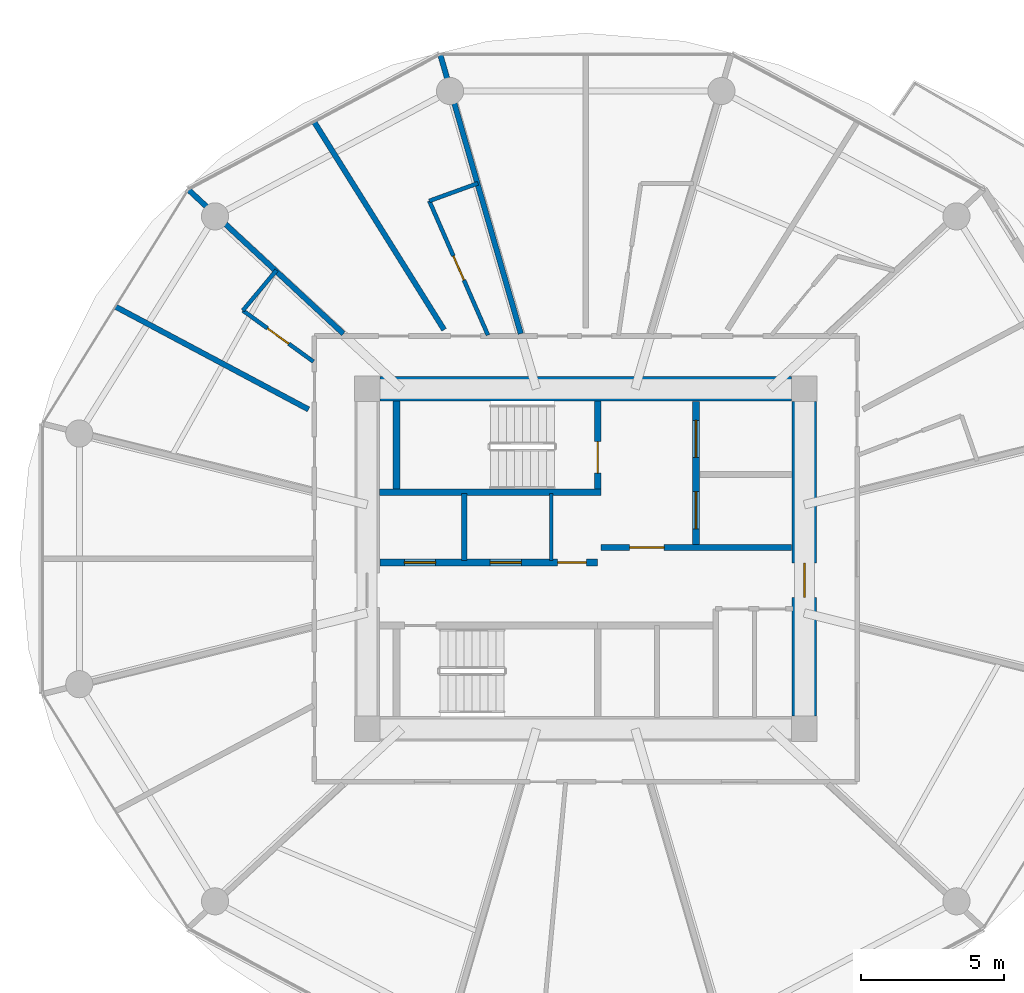
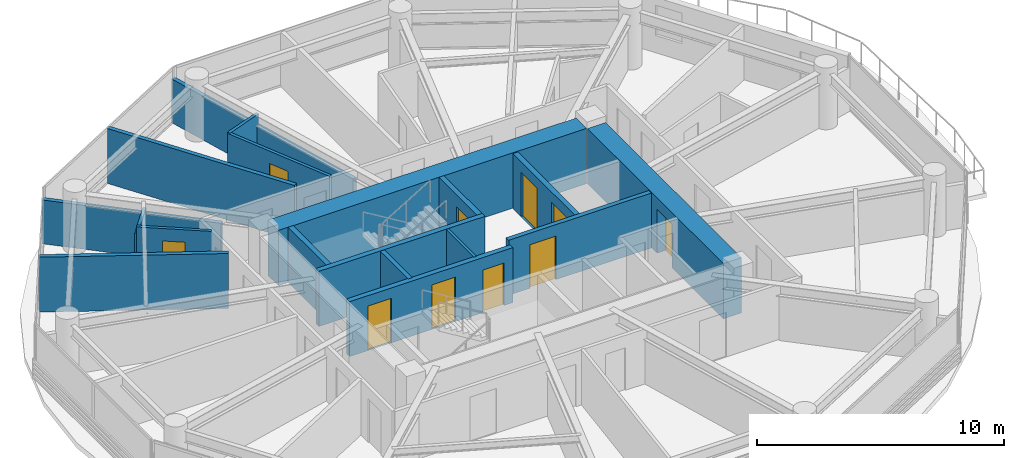
# One storey, part 16 of 26: 18 walls, 10 doors, 10 openings.
"""IFC4 building model written with IfcOpenShell, lengths in metres."""

from ifc_helpers import new_model, si_unit, direction, frame, frame_2d, origin, place, context, subcontext, project, spatial, rectangle, extrude, source, transform, mapped, material, layer, layer_set, type_object, type_shapes, element, fill, save


model = new_model("IFC4")

# Units and contexts
model_context = context("Model", 3, precision=1e-05, world=origin(), true_north=direction((0.0, 1.0)))
body_context = subcontext(model_context, "Body", "Model", "MODEL_VIEW")
ifc_project = project(units=[si_unit("LENGTHUNIT", "METRE"), si_unit("AREAUNIT", "SQUARE_METRE"), si_unit("VOLUMEUNIT", "CUBIC_METRE"), si_unit("PLANEANGLEUNIT", "RADIAN"), si_unit("MASSUNIT", "GRAM", prefix="KILO")], contexts=[model_context])

# Site, building, storey
site_placement = place(None, origin())
site = spatial("IfcSite", under=ifc_project, at=site_placement, CompositionType="ELEMENT")
building_placement = place(site_placement, origin())
building = spatial("IfcBuilding", under=site, at=building_placement, Name="Norrkilde Senior Care Towers", CompositionType="ELEMENT")
storey_placement = place(building_placement, frame((0.0, 0.0, 70.39990234375)))
storey = spatial("IfcBuildingStorey", under=building, at=storey_placement, Name="L21", CompositionType="ELEMENT", Elevation=70.39990234375)

# Wall
ifc_material_1 = material(Name="Concrete C60/75", Category="concrete")
ifc_layer_1 = layer(ifc_material_1, 0.85009765625)
ifc_layer_set_1 = layer_set([ifc_layer_1], Name="Concrete C60/75")
wall_type_1 = type_object("IfcWallType", Name="Core Shear Wall Z1 850", PredefinedType="SHEAR", material=ifc_layer_set_1)
shared_shape_1 = source(origin(), body_context, "Body", "SweptSolid", [
    extrude(rectangle(XDim=14.39990234375, YDim=0.85009765625, at=frame_2d((7.199951171875, 0.0))), origin(), (0.0, 0.0, 1.0), 2.72998046875),
])
wall_1_placement = place(storey_placement, frame((-35.199951171875, 5.949951171875, 0.0), z_axis=(0.0, 0.0, 1.0), x_axis=(1.0, 0.0, 0.0)))
element("IfcWall", 1, at=wall_1_placement, inside=storey, type_object=wall_type_1, Name="L21 Core W North Shear Wall", PredefinedType="SHEAR", context=body_context, shape_type="MappedRepresentation", body=[
    mapped(shared_shape_1, transform((0.0, 0.0, 0.0), x_axis=(1.0, 0.0, 0.0), y_axis=(0.0, 1.0, 0.0), z_axis=(0.0, 0.0, 1.0), scale=1.0)),
])

# Wall, opening, door
shared_shape_2 = source(origin(), body_context, "Body", "SweptSolid", [
    extrude(rectangle(XDim=11.0, YDim=0.85009765625, at=frame_2d((5.5, 0.0))), origin(), (0.0, 0.0, 1.0), 2.72998046875),
])
type_shapes(wall_type_1, [shared_shape_1, shared_shape_2])
wall_2_placement = place(storey_placement, frame((-20.35009765625, 5.5, 0.0), z_axis=(0.0, 0.0, 1.0), x_axis=(0.0, -1.0, 0.0)))
wall_2 = element("IfcWall", 2, at=wall_2_placement, inside=storey, type_object=wall_type_1, Name="L21 Core W East Shear Wall", PredefinedType="SHEAR", context=body_context, shape_type="MappedRepresentation", body=[
    mapped(shared_shape_2, transform((0.0, 0.0, 0.0), x_axis=(1.0, 0.0, 0.0), y_axis=(0.0, 1.0, 0.0), z_axis=(0.0, 0.0, 1.0), scale=1.0)),
])
opening_1_placement = place(wall_2_placement, frame((5.64990234375, 0.0, 0.0)))
opening_1 = element("IfcOpeningElement", 3, at=opening_1_placement, cuts=wall_2, Name="Opening D-04", PredefinedType="OPENING", context=body_context, shape_type="SweptSolid", body=[
    extrude(rectangle(XDim=1.199951171875, YDim=2.14990234375, at=frame_2d((0.60009765625, 1.074951171875))), frame((0.0, 0.43505859375, 0.0), z_axis=(0.0, -1.0, 0.0), x_axis=(1.0, 0.0, 0.0)), (0.0, 0.0, 1.0), 0.8701171875),
])
ifc_material_2 = material(Name="Galvanised Painted Steel", Category="steel")
door_type_1 = type_object("IfcDoorType", Name="Firefighting Lobby Fire Door 1200x2150", OperationType="NOTDEFINED", PredefinedType="DOOR", material=ifc_material_2)
shared_shape_3 = source(origin(), body_context, "Body", "SweptSolid", [
    extrude(rectangle(XDim=1.199951171875, YDim=2.14990234375, at=frame_2d((0.60009765625, 1.074951171875))), frame((0.0, 0.02490234375, 0.0), z_axis=(0.0, -1.0, 0.0), x_axis=(1.0, 0.0, 0.0)), (0.0, 0.0, 1.0), 0.050048828125),
])
type_shapes(door_type_1, [shared_shape_3])
door_1_placement = place(opening_1_placement, frame((1.199951171875, 0.0, 0.0), z_axis=(0.0, 0.0, 1.0), x_axis=(-1.0, 0.0, 0.0)))
door_1 = element("IfcDoor", 4, at=door_1_placement, inside=storey, type_object=door_type_1, Name="L21 Core W East Portal Door", OperationType="SINGLE_SWING_RIGHT", OverallHeight=2.14990234375, OverallWidth=1.199951171875, PredefinedType="DOOR", context=body_context, shape_type="MappedRepresentation", body=[
    mapped(shared_shape_3, transform((0.0, 0.0, 0.0), x_axis=(1.0, 0.0, 0.0), y_axis=(0.0, 1.0, 0.0), z_axis=(0.0, 0.0, 1.0), scale=1.0)),
])
fill(opening_1, door_1)

# Walls
ifc_material_3 = material(Name="Concrete C45/55", Category="concrete")
ifc_layer_2 = layer(ifc_material_3, 0.239990234375)
ifc_layer_set_2 = layer_set([ifc_layer_2], Name="Concrete C45/55")
wall_type_2 = type_object("IfcWallType", Name="Shaft and Stair Enclosure Wall 240", PredefinedType="PARTITIONING", material=ifc_layer_set_2)
shared_shape_4 = source(origin(), body_context, "Body", "SweptSolid", [
    extrude(rectangle(XDim=7.76513671875, YDim=0.239990234375, at=frame_2d((3.882568359375, 0.0))), origin(), (0.0, 0.0, 1.0), 2.72998046875),
])
wall_3_placement = place(storey_placement, frame((-35.22509765625, 2.330078125, 0.0), z_axis=(0.0, 0.0, 1.0), x_axis=(1.0, 0.0, 0.0)))
element("IfcWall", 5, at=wall_3_placement, inside=storey, type_object=wall_type_2, Name="WL-INT-L21-W-ST1S", PredefinedType="PARTITIONING", context=body_context, shape_type="MappedRepresentation", body=[
    mapped(shared_shape_4, transform((0.0, 0.0, 0.0), x_axis=(1.0, 0.0, 0.0), y_axis=(0.0, 1.0, 0.0), z_axis=(0.0, 0.0, 1.0), scale=1.0)),
])
shared_shape_5 = source(origin(), body_context, "Body", "SweptSolid", [
    extrude(rectangle(XDim=3.074951171875, YDim=0.239990234375, at=frame_2d((1.53759765625, 0.0))), origin(), (0.0, 0.0, 1.0), 2.72998046875),
])
type_shapes(wall_type_2, [shared_shape_4, shared_shape_5])
wall_4_placement = place(storey_placement, frame((-34.6201171875, 2.449951171875, 0.0), z_axis=(0.0, 0.0, 1.0), x_axis=(0.0, 1.0, 0.0)))
element("IfcWall", 6, at=wall_4_placement, inside=storey, type_object=wall_type_2, Name="WL-INT-L21-W-ST1W", PredefinedType="PARTITIONING", context=body_context, shape_type="MappedRepresentation", body=[
    mapped(shared_shape_5, transform((0.0, 0.0, 0.0), x_axis=(1.0, 0.0, 0.0), y_axis=(0.0, 1.0, 0.0), z_axis=(0.0, 0.0, 1.0), scale=1.0)),
])

# Wall, opening, door
wall_5_placement = place(storey_placement, frame((-27.580078125, 2.449951171875, 0.0), z_axis=(0.0, 0.0, 1.0), x_axis=(0.0, 1.0, 0.0)))
wall_5 = element("IfcWall", 7, at=wall_5_placement, inside=storey, type_object=wall_type_2, Name="WL-INT-L21-W-ST1E", PredefinedType="PARTITIONING", context=body_context, shape_type="MappedRepresentation", body=[
    mapped(shared_shape_5, transform((0.0, 0.0, 0.0), x_axis=(1.0, 0.0, 0.0), y_axis=(0.0, 1.0, 0.0), z_axis=(0.0, 0.0, 1.0), scale=1.0)),
])
opening_2_placement = place(wall_5_placement, frame((0.550048828125, 0.0, 0.0)))
opening_2 = element("IfcOpeningElement", 8, at=opening_2_placement, cuts=wall_5, Name="Opening D-03", PredefinedType="OPENING", context=body_context, shape_type="SweptSolid", body=[
    extrude(rectangle(XDim=1.10009765625, YDim=2.14990234375, at=frame_2d((0.550048828125, 1.074951171875))), frame((0.0, 0.1298828125, 0.0), z_axis=(0.0, -1.0, 0.0), x_axis=(1.0, 0.0, 0.0)), (0.0, 0.0, 1.0), 0.260009765625),
])
door_type_2 = type_object("IfcDoorType", Name="Stairwell Protected Fire Door 1100x2150", OperationType="NOTDEFINED", PredefinedType="DOOR", material=ifc_material_2)
shared_shape_6 = source(origin(), body_context, "Body", "SweptSolid", [
    extrude(rectangle(XDim=1.10009765625, YDim=2.14990234375, at=frame_2d((0.550048828125, 1.074951171875))), frame((0.0, 0.02490234375, 0.0), z_axis=(0.0, -1.0, 0.0), x_axis=(1.0, 0.0, 0.0)), (0.0, 0.0, 1.0), 0.050048828125),
])
type_shapes(door_type_2, [shared_shape_6])
door_2_placement = place(opening_2_placement, origin())
door_2 = element("IfcDoor", 9, at=door_2_placement, inside=storey, type_object=door_type_2, Name="L21 Stair W1 Fire Door", OperationType="SINGLE_SWING_LEFT", OverallHeight=2.14990234375, OverallWidth=1.10009765625, PredefinedType="DOOR", context=body_context, shape_type="MappedRepresentation", body=[
    mapped(shared_shape_6, transform((0.0, 0.0, 0.0), x_axis=(1.0, 0.0, 0.0), y_axis=(0.0, 1.0, 0.0), z_axis=(0.0, 0.0, 1.0), scale=1.0)),
])
fill(opening_2, door_2)

# Wall, openings, doors
ifc_layer_3 = layer(ifc_material_3, 0.239990234375)
ifc_layer_set_3 = layer_set([ifc_layer_3], Name="Concrete C45/55")
wall_type_3 = type_object("IfcWallType", Name="Lift and Plant Rated Enclosure Partition 240", PredefinedType="PARTITIONING", material=ifc_layer_set_3)
shared_shape_7 = source(origin(), body_context, "Body", "SweptSolid", [
    extrude(rectangle(XDim=5.0, YDim=0.239990234375, at=frame_2d((2.5, 0.0))), origin(), (0.0, 0.0, 1.0), 2.715087890625),
])
wall_6_placement = place(storey_placement, frame((-24.139892578125, 0.5, 0.0), z_axis=(0.0, 0.0, 1.0), x_axis=(0.0, 1.0, 0.0)))
wall_6 = element("IfcWall", 10, at=wall_6_placement, inside=storey, type_object=wall_type_3, Name="WL-INT-L21-W-FFLE", PredefinedType="PARTITIONING", context=body_context, shape_type="MappedRepresentation", body=[
    mapped(shared_shape_7, transform((0.0, 0.0, 0.0), x_axis=(1.0, 0.0, 0.0), y_axis=(0.0, 1.0, 0.0), z_axis=(0.0, 0.0, 1.0), scale=1.0)),
])
opening_3_placement = place(wall_6_placement, frame((3.050048828125, 0.0, 0.0)))
opening_3 = element("IfcOpeningElement", 11, at=opening_3_placement, cuts=wall_6, Name="Opening LD-02", PredefinedType="OPENING", context=body_context, shape_type="SweptSolid", body=[
    extrude(rectangle(XDim=1.300048828125, YDim=2.199951171875, at=frame_2d((0.64990234375, 1.10009765625))), frame((0.0, 0.1298828125, 0.0), z_axis=(0.0, -1.0, 0.0), x_axis=(1.0, 0.0, 0.0)), (0.0, 0.0, 1.0), 0.260009765625),
])
opening_4_placement = place(wall_6_placement, frame((0.550048828125, 0.0, 0.0)))
opening_4 = element("IfcOpeningElement", 12, at=opening_4_placement, cuts=wall_6, Name="Opening LD-02", PredefinedType="OPENING", context=body_context, shape_type="SweptSolid", body=[
    extrude(rectangle(XDim=1.300048828125, YDim=2.199951171875, at=frame_2d((0.64990234375, 1.10009765625))), frame((0.0, 0.1298828125, 0.0), z_axis=(0.0, -1.0, 0.0), x_axis=(1.0, 0.0, 0.0)), (0.0, 0.0, 1.0), 0.260009765625),
])
ifc_material_4 = material(Name="Stainless Steel", Category="steel")
door_type_3 = type_object("IfcDoorType", Name="Stretcher and FFL Landing Sliding Door 1300x2200", OperationType="NOTDEFINED", PredefinedType="DOOR", material=ifc_material_4)
shared_shape_8 = source(origin(), body_context, "Body", "SweptSolid", [
    extrude(rectangle(XDim=1.300048828125, YDim=2.199951171875, at=frame_2d((0.64990234375, 1.10009765625))), frame((0.0, 0.02490234375, 0.0), z_axis=(0.0, -1.0, 0.0), x_axis=(1.0, 0.0, 0.0)), (0.0, 0.0, 1.0), 0.050048828125),
])
type_shapes(door_type_3, [shared_shape_8])
door_3_placement = place(opening_3_placement, origin())
door_3 = element("IfcDoor", 13, at=door_3_placement, inside=storey, type_object=door_type_3, Name="L21 Firefighting Lift W1 Landing Door", OperationType="SLIDING_TO_LEFT", OverallHeight=2.199951171875, OverallWidth=1.300048828125, PredefinedType="DOOR", context=body_context, shape_type="MappedRepresentation", body=[
    mapped(shared_shape_8, transform((0.0, 0.0, 0.0), x_axis=(1.0, 0.0, 0.0), y_axis=(0.0, 1.0, 0.0), z_axis=(0.0, 0.0, 1.0), scale=1.0)),
])
fill(opening_3, door_3)
door_4_placement = place(opening_4_placement, origin())
door_4 = element("IfcDoor", 14, at=door_4_placement, inside=storey, type_object=door_type_3, Name="L21 Stretcher Lift W1 Landing Door", OperationType="SLIDING_TO_RIGHT", OverallHeight=2.199951171875, OverallWidth=1.300048828125, PredefinedType="DOOR", context=body_context, shape_type="MappedRepresentation", body=[
    mapped(shared_shape_8, transform((0.0, 0.0, 0.0), x_axis=(1.0, 0.0, 0.0), y_axis=(0.0, 1.0, 0.0), z_axis=(0.0, 0.0, 1.0), scale=1.0)),
])
fill(opening_4, door_4)

# Wall, opening, door
ifc_layer_4 = layer(ifc_material_3, 0.2099609375)
ifc_layer_set_4 = layer_set([ifc_layer_4], Name="Concrete C45/55")
wall_type_4 = type_object("IfcWallType", Name="Firefighting Lobby Wall 210", PredefinedType="PARTITIONING", material=ifc_layer_set_4)
shared_shape_9 = source(origin(), body_context, "Body", "SweptSolid", [
    extrude(rectangle(XDim=6.659912109375, YDim=0.2099609375, at=frame_2d((3.330078125, 0.0))), origin(), (0.0, 0.0, 1.0), 2.715087890625),
])
type_shapes(wall_type_4, [shared_shape_9])
wall_7_placement = place(storey_placement, frame((-27.4599609375, 0.389892578125, 0.0), z_axis=(0.0, 0.0, 1.0), x_axis=(1.0, 0.0, 0.0)))
wall_7 = element("IfcWall", 15, at=wall_7_placement, inside=storey, type_object=wall_type_4, Name="WL-INT-L21-W-FFLS", PredefinedType="PARTITIONING", context=body_context, shape_type="MappedRepresentation", body=[
    mapped(shared_shape_9, transform((0.0, 0.0, 0.0), x_axis=(1.0, 0.0, 0.0), y_axis=(0.0, 1.0, 0.0), z_axis=(0.0, 0.0, 1.0), scale=1.0)),
])
opening_5_placement = place(wall_7_placement, frame((1.0, 0.0, 0.0)))
opening_5 = element("IfcOpeningElement", 16, at=opening_5_placement, cuts=wall_7, Name="Opening D-04", PredefinedType="OPENING", context=body_context, shape_type="SweptSolid", body=[
    extrude(rectangle(XDim=1.199951171875, YDim=2.14990234375, at=frame_2d((0.60009765625, 1.074951171875))), frame((0.0, 0.114990234375, 0.0), z_axis=(0.0, -1.0, 0.0), x_axis=(1.0, 0.0, 0.0)), (0.0, 0.0, 1.0), 0.22998046875),
])
door_5_placement = place(opening_5_placement, frame((1.199951171875, 0.0, 0.0), z_axis=(0.0, 0.0, 1.0), x_axis=(-1.0, 0.0, 0.0)))
door_5 = element("IfcDoor", 17, at=door_5_placement, inside=storey, type_object=door_type_1, Name="L21 Firefighting Lobby W Door", OperationType="SINGLE_SWING_LEFT", OverallHeight=2.14990234375, OverallWidth=1.199951171875, PredefinedType="DOOR", context=body_context, shape_type="MappedRepresentation", body=[
    mapped(shared_shape_3, transform((0.0, 0.0, 0.0), x_axis=(1.0, 0.0, 0.0), y_axis=(0.0, 1.0, 0.0), z_axis=(0.0, 0.0, 1.0), scale=1.0)),
])
fill(opening_5, door_5)

# Wall, openings, doors
shared_shape_10 = source(origin(), body_context, "Body", "SweptSolid", [
    extrude(rectangle(XDim=7.619873046875, YDim=0.239990234375, at=frame_2d((3.81005859375, 0.0))), origin(), (0.0, 0.0, 1.0), 2.715087890625),
])
type_shapes(wall_type_3, [shared_shape_7, shared_shape_10])
wall_8_placement = place(storey_placement, frame((-35.199951171875, -0.1298828125, 0.0), z_axis=(0.0, 0.0, 1.0), x_axis=(1.0, 0.0, 0.0)))
wall_8 = element("IfcWall", 18, at=wall_8_placement, inside=storey, type_object=wall_type_3, Name="WL-INT-L21-W-PKAS", PredefinedType="PARTITIONING", context=body_context, shape_type="MappedRepresentation", body=[
    mapped(shared_shape_10, transform((0.0, 0.0, 0.0), x_axis=(1.0, 0.0, 0.0), y_axis=(0.0, 1.0, 0.0), z_axis=(0.0, 0.0, 1.0), scale=1.0)),
])
opening_6_placement = place(wall_8_placement, frame((6.219970703125, 0.0, 0.0)))
opening_6 = element("IfcOpeningElement", 19, at=opening_6_placement, cuts=wall_8, Name="Opening D-10", PredefinedType="OPENING", context=body_context, shape_type="SweptSolid", body=[
    extrude(rectangle(XDim=1.0, YDim=2.10009765625, at=frame_2d((0.5, 1.050048828125))), frame((0.0, 0.1298828125, 0.0), z_axis=(0.0, -1.0, 0.0), x_axis=(1.0, 0.0, 0.0)), (0.0, 0.0, 1.0), 0.260009765625),
])
opening_7_placement = place(wall_8_placement, frame((0.85009765625, 0.0, 0.0)))
opening_7 = element("IfcOpeningElement", 20, at=opening_7_placement, cuts=wall_8, Name="Opening LD-01", PredefinedType="OPENING", context=body_context, shape_type="SweptSolid", body=[
    extrude(rectangle(XDim=1.10009765625, YDim=2.199951171875, at=frame_2d((0.550048828125, 1.10009765625))), frame((0.0, 0.1298828125, 0.0), z_axis=(0.0, -1.0, 0.0), x_axis=(1.0, 0.0, 0.0)), (0.0, 0.0, 1.0), 0.260009765625),
])
opening_8_placement = place(wall_8_placement, frame((3.85009765625, 0.0, 0.0)))
opening_8 = element("IfcOpeningElement", 21, at=opening_8_placement, cuts=wall_8, Name="Opening LD-01", PredefinedType="OPENING", context=body_context, shape_type="SweptSolid", body=[
    extrude(rectangle(XDim=1.10009765625, YDim=2.199951171875, at=frame_2d((0.550048828125, 1.10009765625))), frame((0.0, 0.1298828125, 0.0), z_axis=(0.0, -1.0, 0.0), x_axis=(1.0, 0.0, 0.0)), (0.0, 0.0, 1.0), 0.260009765625),
])
door_type_4 = type_object("IfcDoorType", Name="Plant and Riser Rated Door 1000x2100", OperationType="NOTDEFINED", PredefinedType="DOOR", material=ifc_material_2)
shared_shape_11 = source(origin(), body_context, "Body", "SweptSolid", [
    extrude(rectangle(XDim=1.0, YDim=2.10009765625, at=frame_2d((0.5, 1.050048828125))), frame((0.0, 0.02490234375, 0.0), z_axis=(0.0, -1.0, 0.0), x_axis=(1.0, 0.0, 0.0)), (0.0, 0.0, 1.0), 0.050048828125),
])
type_shapes(door_type_4, [shared_shape_11])
door_6_placement = place(opening_6_placement, frame((1.0, 0.0, 0.0), z_axis=(0.0, 0.0, 1.0), x_axis=(-1.0, 0.0, 0.0)))
door_6 = element("IfcDoor", 22, at=door_6_placement, inside=storey, type_object=door_type_4, Name="L21 Electrical Riser W Door", OperationType="SINGLE_SWING_LEFT", OverallHeight=2.10009765625, OverallWidth=1.0, PredefinedType="DOOR", context=body_context, shape_type="MappedRepresentation", body=[
    mapped(shared_shape_11, transform((0.0, 0.0, 0.0), x_axis=(1.0, 0.0, 0.0), y_axis=(0.0, 1.0, 0.0), z_axis=(0.0, 0.0, 1.0), scale=1.0)),
])
fill(opening_6, door_6)
door_type_5 = type_object("IfcDoorType", Name="Lift Landing Sliding Door 1100x2200", OperationType="NOTDEFINED", PredefinedType="DOOR", material=ifc_material_4)
shared_shape_12 = source(origin(), body_context, "Body", "SweptSolid", [
    extrude(rectangle(XDim=1.10009765625, YDim=2.199951171875, at=frame_2d((0.550048828125, 1.10009765625))), frame((0.0, 0.02490234375, 0.0), z_axis=(0.0, -1.0, 0.0), x_axis=(1.0, 0.0, 0.0)), (0.0, 0.0, 1.0), 0.050048828125),
])
type_shapes(door_type_5, [shared_shape_12])
door_7_placement = place(opening_7_placement, origin())
door_7 = element("IfcDoor", 23, at=door_7_placement, inside=storey, type_object=door_type_5, Name="L21 Passenger Lift W1 Landing Door", OperationType="SLIDING_TO_LEFT", OverallHeight=2.199951171875, OverallWidth=1.10009765625, PredefinedType="DOOR", context=body_context, shape_type="MappedRepresentation", body=[
    mapped(shared_shape_12, transform((0.0, 0.0, 0.0), x_axis=(1.0, 0.0, 0.0), y_axis=(0.0, 1.0, 0.0), z_axis=(0.0, 0.0, 1.0), scale=1.0)),
])
fill(opening_7, door_7)
door_8_placement = place(opening_8_placement, origin())
door_8 = element("IfcDoor", 24, at=door_8_placement, inside=storey, type_object=door_type_5, Name="L21 Passenger Lift W2 Landing Door", OperationType="SLIDING_TO_RIGHT", OverallHeight=2.199951171875, OverallWidth=1.10009765625, PredefinedType="DOOR", context=body_context, shape_type="MappedRepresentation", body=[
    mapped(shared_shape_12, transform((0.0, 0.0, 0.0), x_axis=(1.0, 0.0, 0.0), y_axis=(0.0, 1.0, 0.0), z_axis=(0.0, 0.0, 1.0), scale=1.0)),
])
fill(opening_8, door_8)

# Walls
ifc_material_5 = material(Name="Gypsum Acoustic Board")
ifc_layer_5 = layer(ifc_material_5, 0.114990234375)
ifc_layer_set_5 = layer_set([ifc_layer_5], Name="Gypsum Acoustic Board")
wall_type_5 = type_object("IfcWallType", Name="Internal Room Partition 115", PredefinedType="PARTITIONING", material=ifc_layer_set_5)
shared_shape_13 = source(origin(), body_context, "Body", "SweptSolid", [
    extrude(rectangle(XDim=2.330078125, YDim=0.114990234375, at=frame_2d((1.1650390625, 0.0))), origin(), (0.0, 0.0, 1.0), 2.715087890625),
])
type_shapes(wall_type_5, [shared_shape_13])
wall_9_placement = place(storey_placement, frame((-29.2099609375, -0.050048828125, 0.0), z_axis=(0.0, 0.0, 1.0), x_axis=(0.0, 1.0, 0.0)))
element("IfcWall", 25, at=wall_9_placement, inside=storey, type_object=wall_type_5, Name="WL-INT-L21-W-RISW", PredefinedType="PARTITIONING", context=body_context, shape_type="MappedRepresentation", body=[
    mapped(shared_shape_13, transform((0.0, 0.0, 0.0), x_axis=(1.0, 0.0, 0.0), y_axis=(0.0, 1.0, 0.0), z_axis=(0.0, 0.0, 1.0), scale=1.0)),
])
ifc_layer_6 = layer(ifc_material_3, 0.199951171875)
ifc_layer_set_6 = layer_set([ifc_layer_6], Name="Concrete C45/55")
wall_type_6 = type_object("IfcWallType", Name="Shaft Division and Plant Partition 200", PredefinedType="PARTITIONING", material=ifc_layer_set_6)
shared_shape_14 = source(origin(), body_context, "Body", "SweptSolid", [
    extrude(rectangle(XDim=2.330078125, YDim=0.199951171875, at=frame_2d((1.1650390625, 0.0))), origin(), (0.0, 0.0, 1.0), 2.715087890625),
])
type_shapes(wall_type_6, [shared_shape_14])
wall_10_placement = place(storey_placement, frame((-32.25, -0.050048828125, 0.0), z_axis=(0.0, 0.0, 1.0), x_axis=(0.0, 1.0, 0.0)))
element("IfcWall", 26, at=wall_10_placement, inside=storey, type_object=wall_type_6, Name="WL-INT-L21-W-PL12", PredefinedType="PARTITIONING", context=body_context, shape_type="MappedRepresentation", body=[
    mapped(shared_shape_14, transform((0.0, 0.0, 0.0), x_axis=(1.0, 0.0, 0.0), y_axis=(0.0, 1.0, 0.0), z_axis=(0.0, 0.0, 1.0), scale=1.0)),
])
ifc_layer_7 = layer(ifc_material_5, 0.18994140625)
ifc_layer_set_7 = layer_set([ifc_layer_7], Name="Gypsum Acoustic Board")
wall_type_7 = type_object("IfcWallType", Name="Unit Demising Acoustic Wall 190", PredefinedType="PARTITIONING", material=ifc_layer_set_7)
shared_shape_15 = source(origin(), body_context, "Body", "SweptSolid", [
    extrude(rectangle(XDim=7.4345703125, YDim=0.18994140625, at=frame_2d((3.71728515625, 0.0))), origin(), (0.0, 0.0, 1.0), 2.1650390625),
])
wall_11_placement = place(storey_placement, frame((-36.48291015625, 7.8798828125, 0.0), z_axis=(0.0, 0.0, 1.0), x_axis=(-0.732651956848, 0.680603489652, 0.0)))
element("IfcWall", 27, at=wall_11_placement, inside=storey, type_object=wall_type_7, Name="WL-INT-L21-W-DEM-04-0", PredefinedType="PARTITIONING", context=body_context, shape_type="MappedRepresentation", body=[
    mapped(shared_shape_15, transform((0.0, 0.0, 0.0), x_axis=(1.0, 0.0, 0.0), y_axis=(0.0, 1.0, 0.0), z_axis=(0.0, 0.0, 1.0), scale=1.0)),
])
shared_shape_16 = source(origin(), body_context, "Body", "SweptSolid", [
    extrude(rectangle(XDim=10.196044921875, YDim=0.18994140625, at=frame_2d((5.09814453125, 0.0))), origin(), (0.0, 0.0, 1.0), 2.1650390625),
])
wall_12_placement = place(storey_placement, frame((-30.27294921875, 7.8798828125, 0.0), z_axis=(0.0, 0.0, 1.0), x_axis=(-0.277136420347, 0.960830580549, 0.0)))
element("IfcWall", 28, at=wall_12_placement, inside=storey, type_object=wall_type_7, Name="WL-INT-L21-W-DEM-03-0", PredefinedType="PARTITIONING", context=body_context, shape_type="MappedRepresentation", body=[
    mapped(shared_shape_16, transform((0.0, 0.0, 0.0), x_axis=(1.0, 0.0, 0.0), y_axis=(0.0, 1.0, 0.0), z_axis=(0.0, 0.0, 1.0), scale=1.0)),
])
shared_shape_17 = source(origin(), body_context, "Body", "SweptSolid", [
    extrude(rectangle(XDim=7.6767578125, YDim=0.18994140625, at=frame_2d((3.83837890625, 0.0))), origin(), (0.0, 0.0, 1.0), 2.715087890625),
])
wall_13_placement = place(storey_placement, frame((-37.703125, 5.23095703125, 0.0), z_axis=(0.0, 0.0, 1.0), x_axis=(-0.882725057546, 0.469889851753, 0.0)))
element("IfcWall", 29, at=wall_13_placement, inside=storey, type_object=wall_type_7, Name="WL-INT-L21-W-CMID-04", PredefinedType="PARTITIONING", context=body_context, shape_type="MappedRepresentation", body=[
    mapped(shared_shape_17, transform((0.0, 0.0, 0.0), x_axis=(1.0, 0.0, 0.0), y_axis=(0.0, 1.0, 0.0), z_axis=(0.0, 0.0, 1.0), scale=1.0)),
])
shared_shape_18 = source(origin(), body_context, "Body", "SweptSolid", [
    extrude(rectangle(XDim=8.59814453125, YDim=0.18994140625, at=frame_2d((4.299072265625, 0.0))), origin(), (0.0, 0.0, 1.0), 2.715087890625),
])
type_shapes(wall_type_7, [shared_shape_15, shared_shape_16, shared_shape_17, shared_shape_18])
wall_14_placement = place(storey_placement, frame((-32.95703125, 8.017333984375, 0.0), z_axis=(0.0, 0.0, 1.0), x_axis=(-0.530039776395, 0.847972779893, 0.0)))
element("IfcWall", 30, at=wall_14_placement, inside=storey, type_object=wall_type_7, Name="WL-INT-L21-W-CMID-03", PredefinedType="PARTITIONING", context=body_context, shape_type="MappedRepresentation", body=[
    mapped(shared_shape_18, transform((0.0, 0.0, 0.0), x_axis=(1.0, 0.0, 0.0), y_axis=(0.0, 1.0, 0.0), z_axis=(0.0, 0.0, 1.0), scale=1.0)),
])

# Wall, opening, door
ifc_layer_8 = layer(ifc_material_5, 0.139892578125)
ifc_layer_set_8 = layer_set([ifc_layer_8], Name="Gypsum Acoustic Board")
wall_type_8 = type_object("IfcWallType", Name="En-suite Wet Room Wall 140", PredefinedType="PARTITIONING", material=ifc_layer_set_8)
shared_shape_19 = source(origin(), body_context, "Body", "SweptSolid", [
    extrude(rectangle(XDim=5.125732421875, YDim=0.139892578125, at=frame_2d((2.56298828125, 0.0))), origin(), (0.0, 0.0, 1.0), 2.715087890625),
])
wall_15_placement = place(storey_placement, frame((-31.421875, 7.830078125, 0.0), z_axis=(0.0, 0.0, 1.0), x_axis=(-0.400473994842, 0.916308124735, 0.0)))
wall_15 = element("IfcWall", 31, at=wall_15_placement, inside=storey, type_object=wall_type_8, Name="WL-INT-L21-W-ES-03A", PredefinedType="PARTITIONING", context=body_context, shape_type="MappedRepresentation", body=[
    mapped(shared_shape_19, transform((0.0, 0.0, 0.0), x_axis=(1.0, 0.0, 0.0), y_axis=(0.0, 1.0, 0.0), z_axis=(0.0, 0.0, 1.0), scale=1.0)),
])
opening_9_placement = place(wall_15_placement, frame((2.102783203125, 0.0, 0.0)))
opening_9 = element("IfcOpeningElement", 32, at=opening_9_placement, cuts=wall_15, Name="Opening D-08", PredefinedType="OPENING", context=body_context, shape_type="SweptSolid", body=[
    extrude(rectangle(XDim=0.919921875, YDim=2.10009765625, at=frame_2d((0.4599609375, 1.050048828125))), frame((0.0, 0.079833984375, 0.0), z_axis=(0.0, -1.0, 0.0), x_axis=(1.0, 0.0, 0.0)), (0.0, 0.0, 1.0), 0.159912109375),
])
ifc_material_6 = material(Name="Nordic Ash Timber", Category="wood")
door_type_6 = type_object("IfcDoorType", Name="Accessible Wet Room Door 920x2100", OperationType="NOTDEFINED", PredefinedType="DOOR", material=ifc_material_6)
shared_shape_20 = source(origin(), body_context, "Body", "SweptSolid", [
    extrude(rectangle(XDim=0.919921875, YDim=2.10009765625, at=frame_2d((0.4599609375, 1.050048828125))), frame((0.0, 0.02490234375, 0.0), z_axis=(0.0, -1.0, 0.0), x_axis=(1.0, 0.0, 0.0)), (0.0, 0.0, 1.0), 0.050048828125),
])
type_shapes(door_type_6, [shared_shape_20])
door_9_placement = place(opening_9_placement, origin())
door_9 = element("IfcDoor", 33, at=door_9_placement, inside=storey, type_object=door_type_6, Name="L21 Care Suite 2103A Bathroom Door", OperationType="SINGLE_SWING_LEFT", OverallHeight=2.10009765625, OverallWidth=0.919921875, PredefinedType="DOOR", context=body_context, shape_type="MappedRepresentation", body=[
    mapped(shared_shape_20, transform((0.0, 0.0, 0.0), x_axis=(1.0, 0.0, 0.0), y_axis=(0.0, 1.0, 0.0), z_axis=(0.0, 0.0, 1.0), scale=1.0)),
])
fill(opening_9, door_9)

# Wall
shared_shape_21 = source(origin(), body_context, "Body", "SweptSolid", [
    extrude(rectangle(XDim=1.811279296875, YDim=0.139892578125, at=frame_2d((0.90576171875, 0.0))), origin(), (0.0, 0.0, 1.0), 2.715087890625),
])
wall_16_placement = place(storey_placement, frame((-33.474609375, 12.52685546875, 0.0), z_axis=(0.0, 0.0, 1.0), x_axis=(0.940009682452, 0.341147764021, 0.0)))
element("IfcWall", 34, at=wall_16_placement, inside=storey, type_object=wall_type_8, Name="WL-INT-L21-W-EF-03A", PredefinedType="PARTITIONING", context=body_context, shape_type="MappedRepresentation", body=[
    mapped(shared_shape_21, transform((0.0, 0.0, 0.0), x_axis=(1.0, 0.0, 0.0), y_axis=(0.0, 1.0, 0.0), z_axis=(0.0, 0.0, 1.0), scale=1.0)),
])

# Wall, opening, door
shared_shape_22 = source(origin(), body_context, "Body", "SweptSolid", [
    extrude(rectangle(XDim=3.050537109375, YDim=0.139892578125, at=frame_2d((1.525390625, 0.0))), origin(), (0.0, 0.0, 1.0), 2.715087890625),
])
wall_17_placement = place(storey_placement, frame((-37.530029296875, 6.902587890625, 0.0), z_axis=(0.0, 0.0, 1.0), x_axis=(-0.809849031404, 0.586638343729, 0.0)))
wall_17 = element("IfcWall", 35, at=wall_17_placement, inside=storey, type_object=wall_type_8, Name="WL-INT-L21-W-ES-04A", PredefinedType="PARTITIONING", context=body_context, shape_type="MappedRepresentation", body=[
    mapped(shared_shape_22, transform((0.0, 0.0, 0.0), x_axis=(1.0, 0.0, 0.0), y_axis=(0.0, 1.0, 0.0), z_axis=(0.0, 0.0, 1.0), scale=1.0)),
])
opening_10_placement = place(wall_17_placement, frame((1.065185546875, 0.0, 0.0)))
opening_10 = element("IfcOpeningElement", 36, at=opening_10_placement, cuts=wall_17, Name="Opening D-08", PredefinedType="OPENING", context=body_context, shape_type="SweptSolid", body=[
    extrude(rectangle(XDim=0.919921875, YDim=2.10009765625, at=frame_2d((0.4599609375, 1.050048828125))), frame((0.0, 0.079833984375, 0.0), z_axis=(0.0, -1.0, 0.0), x_axis=(1.0, 0.0, 0.0)), (0.0, 0.0, 1.0), 0.159912109375),
])
door_10_placement = place(opening_10_placement, origin())
door_10 = element("IfcDoor", 37, at=door_10_placement, inside=storey, type_object=door_type_6, Name="L21 Care Suite 2104A Bathroom Door", OperationType="SINGLE_SWING_RIGHT", OverallHeight=2.10009765625, OverallWidth=0.919921875, PredefinedType="DOOR", context=body_context, shape_type="MappedRepresentation", body=[
    mapped(shared_shape_20, transform((0.0, 0.0, 0.0), x_axis=(1.0, 0.0, 0.0), y_axis=(0.0, 1.0, 0.0), z_axis=(0.0, 0.0, 1.0), scale=1.0)),
])
fill(opening_10, door_10)

# Wall
shared_shape_23 = source(origin(), body_context, "Body", "SweptSolid", [
    extrude(rectangle(XDim=1.840087890625, YDim=0.139892578125, at=frame_2d((0.919921875, 0.0))), origin(), (0.0, 0.0, 1.0), 2.35498046875),
])
type_shapes(wall_type_8, [shared_shape_19, shared_shape_21, shared_shape_22, shared_shape_23])
wall_18_placement = place(storey_placement, frame((-40.00048828125, 8.692138671875, 0.0), z_axis=(0.0, 0.0, 1.0), x_axis=(0.641410397049, 0.767197955262, 0.0)))
element("IfcWall", 38, at=wall_18_placement, inside=storey, type_object=wall_type_8, Name="WL-INT-L21-W-EF-04A", PredefinedType="PARTITIONING", context=body_context, shape_type="MappedRepresentation", body=[
    mapped(shared_shape_23, transform((0.0, 0.0, 0.0), x_axis=(1.0, 0.0, 0.0), y_axis=(0.0, 1.0, 0.0), z_axis=(0.0, 0.0, 1.0), scale=1.0)),
])

save(model, "model.ifc")
